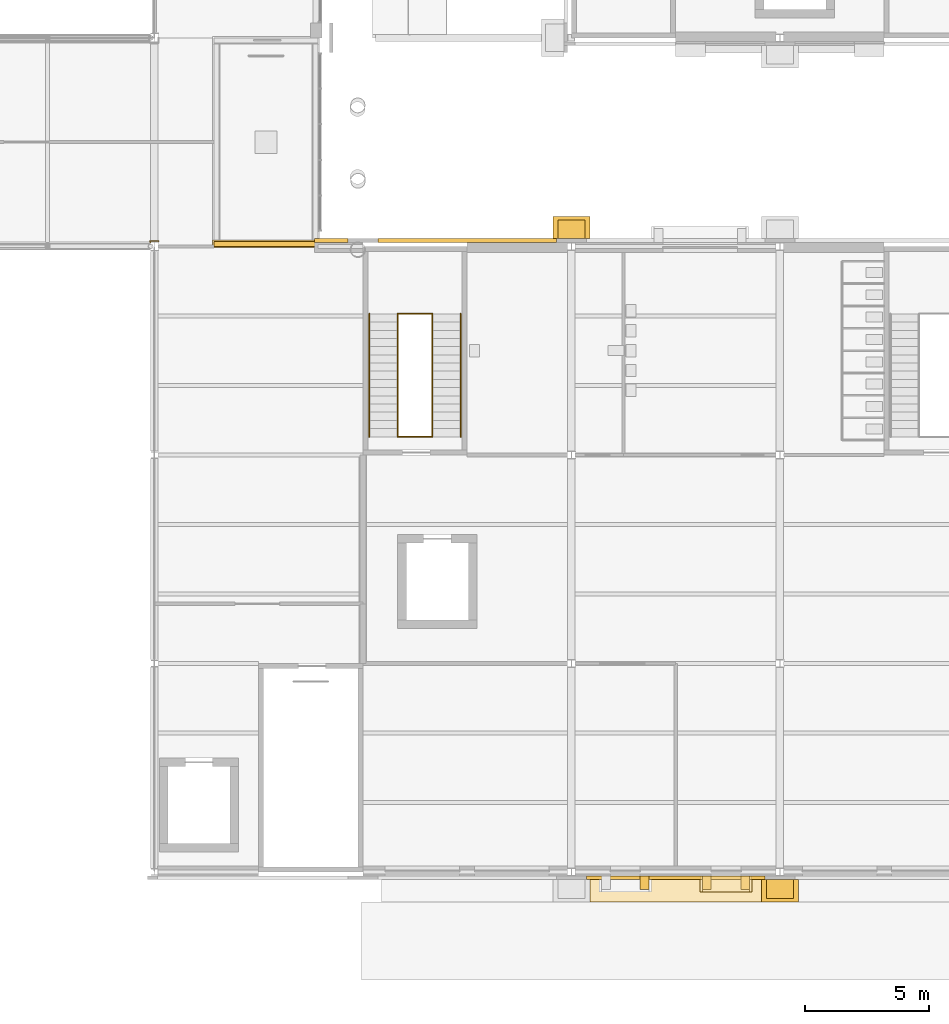
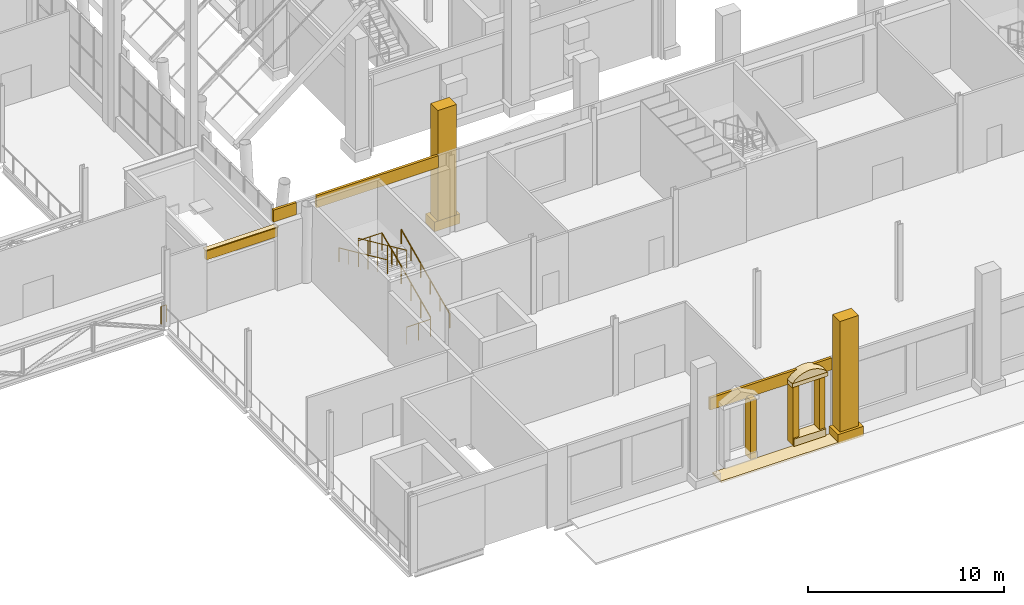
# One storey, part 63 of 76: 16 coverings, 7 railings.
"""IFC4 building model written with IfcOpenShell, lengths in metres."""

from ifc_helpers import new_model, si_unit, direction, frame, origin, origin_2d, place, context, subcontext, project, spatial, polyline, rectangle, circle, outline, extrude, material, layer, layer_set, type_object, element, save


model = new_model("IFC4")

# Units and contexts
model_context = context("Model", 3, precision=1e-05, world=origin(), true_north=direction((0.0, 1.0)))
body_context = subcontext(model_context, "Body", "Model", "MODEL_VIEW")
ifc_project = project(units=[si_unit("LENGTHUNIT", "METRE"), si_unit("AREAUNIT", "SQUARE_METRE"), si_unit("VOLUMEUNIT", "CUBIC_METRE"), si_unit("PLANEANGLEUNIT", "RADIAN"), si_unit("MASSUNIT", "GRAM", prefix="KILO")], contexts=[model_context])

# Site, building, storey
site_placement = place(None, origin())
site = spatial("IfcSite", under=ifc_project, at=site_placement, CompositionType="ELEMENT")
building_placement = place(site_placement, origin())
building = spatial("IfcBuilding", under=site, at=building_placement, Name="Sava Quay Ferry Terminal", CompositionType="ELEMENT")
storey_placement = place(building_placement, frame((0.0, 0.0, 6.0)))
storey = spatial("IfcBuildingStorey", under=building, at=storey_placement, Name="L01", CompositionType="ELEMENT", Elevation=6.0)

# Coverings
ifc_material_1 = material(Name="Standing-seam lead roofing")
ifc_layer_1 = layer(ifc_material_1, 0.1201171875)
ifc_layer_set_1 = layer_set([ifc_layer_1], Name="Standing-seam lead roofing")
covering_type_1 = type_object("IfcCoveringType", Name="Arcade roof covering 120", PredefinedType="ROOFING", material=ifc_layer_set_1)
covering_1_placement = place(storey_placement, frame((96.60009765625, 24.43994140625, 0.0), z_axis=(0.0, 0.0, 1.0), x_axis=(1.0, 0.0, 0.0)))
element("IfcCovering", 1, at=covering_1_placement, inside=storey, type_object=covering_type_1, Name="Arcade roof covering", PredefinedType="ROOFING", context=body_context, shape_type="SweptSolid", body=[
    extrude(rectangle(XDim=6.89990234375, YDim=0.89990234375, at=origin_2d()), origin(), (0.0, 0.0, 1.0), 0.1201171875),
])
ifc_material_2 = material(Name="Limestone Mutalj", Category="masonry")
ifc_layer_2 = layer(ifc_material_2, 0.89990234375)
ifc_layer_set_2 = layer_set([ifc_layer_2], Name="Limestone Mutalj")
covering_type_2 = type_object("IfcCoveringType", Name="Giant-order pilaster base 1500", PredefinedType="MOLDING", material=ifc_layer_set_2)
for number, where, z_axis, x_axis, name in (
    (2, (92.39990234375, 51.159912109375, 0.0), (0.0, 0.0, 1.0), (1.0, 0.0, 0.0), "Giant-order pilaster base"),
    (3, (100.800048828125, 24.43994140625, 0.0), (0.0, 0.0, 1.0), (1.0, 0.0, 0.0), "Giant-order pilaster base"),
):
    element("IfcCovering", number, at=place(storey_placement, frame(where, z_axis=z_axis, x_axis=x_axis)), inside=storey, type_object=covering_type_2, Name=name, PredefinedType="MOLDING", context=body_context, shape_type="SweptSolid", body=[
        extrude(rectangle(XDim=1.5, YDim=0.89990234375, at=origin_2d()), origin(), (0.0, 0.0, 1.0), 0.60009765625),
    ])
ifc_material_3 = material(Name="Limestone Mutalj", Category="masonry")
ifc_layer_3 = layer(ifc_material_3, 0.75)
ifc_layer_set_3 = layer_set([ifc_layer_3], Name="Limestone Mutalj")
covering_type_3 = type_object("IfcCoveringType", Name="Giant-order pilaster shaft 1100", PredefinedType="CLADDING", material=ifc_layer_set_3)
for number, where, z_axis, x_axis, name in (
    (4, (92.39990234375, 51.0849609375, 0.60009765625), (0.0, 0.0, 1.0), (1.0, 0.0, 0.0), "Giant-order pilaster"),
    (5, (100.800048828125, 24.514892578125, 0.60009765625), (0.0, 0.0, 1.0), (1.0, 0.0, 0.0), "Giant-order pilaster"),
):
    element("IfcCovering", number, at=place(storey_placement, frame(where, z_axis=z_axis, x_axis=x_axis)), inside=storey, type_object=covering_type_3, Name=name, PredefinedType="CLADDING", context=body_context, shape_type="SweptSolid", body=[
        extrude(rectangle(XDim=1.10009765625, YDim=0.75, at=origin_2d()), origin(), (0.0, 0.0, 1.0), 6.89990234375),
    ])

# Railings
ifc_material_4 = material(Name="Steel S355", Category="steel")
railing_type_1 = type_object("IfcRailingType", Name="Guard 1100", PredefinedType="GUARDRAIL", material=ifc_material_4)
railing_1_placement = place(storey_placement, frame((85.39990234375, 42.72998046875, 0.0)))
element("IfcRailing", 6, at=railing_1_placement, inside=storey, type_object=railing_type_1, Name="Guard at stair well ST-P1 L01", PredefinedType="GUARDRAIL", context=body_context, shape_type="SweptSolid", body=[
    extrude(circle(Radius=0.02392578125, at=origin_2d()), frame((0.0, 0.0, 1.076171875), z_axis=(1.0, 0.0, 0.0), x_axis=(0.0, 1.0, 0.0)), (0.0, 0.0, 1.0), 1.400146484375),
    extrude(circle(Radius=0.02099609375, at=origin_2d()), origin(), (0.0, 0.0, 1.0), 1.052001953125),
    extrude(circle(Radius=0.02099609375, at=origin_2d()), frame((0.7001953125, 0.0, 0.0)), (0.0, 0.0, 1.0), 1.052001953125),
    extrude(circle(Radius=0.02099609375, at=origin_2d()), frame((1.400146484375, 0.0, 0.0)), (0.0, 0.0, 1.0), 1.052001953125),
])
railing_2_placement = place(storey_placement, frame((86.800048828125, 42.72998046875, 0.14990234375)))
element("IfcRailing", 7, at=railing_2_placement, inside=storey, type_object=railing_type_1, Name="Guard at stair well ST-P1 L01", PredefinedType="GUARDRAIL", context=body_context, shape_type="SweptSolid", body=[
    extrude(circle(Radius=0.02392578125, at=origin_2d()), frame((0.0, 0.0, 1.076171875), z_axis=(0.0, 0.910364939756, 0.41380632724), x_axis=(-1.0, 0.0, 0.0)), (0.0, 0.0, 1.0), 5.437255859375),
    extrude(circle(Radius=0.02099609375, at=origin_2d()), origin(), (0.0, 0.0, 1.0), 1.052001953125),
    extrude(circle(Radius=0.02099609375, at=origin_2d()), frame((0.0, 0.989990234375, 0.449951171875)), (0.0, 0.0, 1.0), 1.052001953125),
    extrude(circle(Radius=0.02099609375, at=origin_2d()), frame((0.0, 1.97998046875, 0.89990234375)), (0.0, 0.0, 1.0), 1.052001953125),
    extrude(circle(Radius=0.02099609375, at=origin_2d()), frame((0.0, 2.969970703125, 1.35009765625)), (0.0, 0.0, 1.0), 1.052001953125),
    extrude(circle(Radius=0.02099609375, at=origin_2d()), frame((0.0, 3.9599609375, 1.800048828125)), (0.0, 0.0, 1.0), 1.052001953125),
    extrude(circle(Radius=0.02099609375, at=origin_2d()), frame((0.0, 4.949951171875, 2.25)), (0.0, 0.0, 1.0), 1.052001953125),
])
railing_3_placement = place(storey_placement, frame((85.39990234375, 47.679931640625, 2.550048828125)))
element("IfcRailing", 8, at=railing_3_placement, inside=storey, type_object=railing_type_1, Name="Guard at stair well ST-P1 L01", PredefinedType="GUARDRAIL", context=body_context, shape_type="SweptSolid", body=[
    extrude(circle(Radius=0.02392578125, at=origin_2d()), frame((0.0, 0.0, 1.076171875), z_axis=(0.0, -0.910364939756, 0.41380632724), x_axis=(1.0, 0.0, 0.0)), (0.0, 0.0, 1.0), 5.437255859375),
    extrude(circle(Radius=0.02099609375, at=origin_2d()), origin(), (0.0, 0.0, 1.0), 1.052001953125),
    extrude(circle(Radius=0.02099609375, at=origin_2d()), frame((0.0, -0.989990234375, 0.449951171875)), (0.0, 0.0, 1.0), 1.052001953125),
    extrude(circle(Radius=0.02099609375, at=origin_2d()), frame((0.0, -1.97998046875, 0.89990234375)), (0.0, 0.0, 1.0), 1.052001953125),
    extrude(circle(Radius=0.02099609375, at=origin_2d()), frame((0.0, -2.969970703125, 1.35009765625)), (0.0, 0.0, 1.0), 1.052001953125),
    extrude(circle(Radius=0.02099609375, at=origin_2d()), frame((0.0, -3.9599609375, 1.800048828125)), (0.0, 0.0, 1.0), 1.052001953125),
    extrude(circle(Radius=0.02099609375, at=origin_2d()), frame((0.0, -4.949951171875, 2.25)), (0.0, 0.0, 1.0), 1.052001953125),
])
railing_4_placement = place(storey_placement, frame((85.39990234375, 47.679931640625, 2.39990234375)))
element("IfcRailing", 9, at=railing_4_placement, inside=storey, type_object=railing_type_1, Name="Guard at half landing ST-P1 L01", PredefinedType="GUARDRAIL", context=body_context, shape_type="SweptSolid", body=[
    extrude(circle(Radius=0.02392578125, at=origin_2d()), frame((0.0, 0.0, 1.076171875), z_axis=(1.0, 0.0, 0.0), x_axis=(0.0, 1.0, 0.0)), (0.0, 0.0, 1.0), 1.400146484375),
    extrude(circle(Radius=0.02099609375, at=origin_2d()), origin(), (0.0, 0.0, 1.0), 1.052001953125),
    extrude(circle(Radius=0.02099609375, at=origin_2d()), frame((0.7001953125, 0.0, 0.0)), (0.0, 0.0, 1.0), 1.052001953125),
    extrude(circle(Radius=0.02099609375, at=origin_2d()), frame((1.400146484375, 0.0, 0.0)), (0.0, 0.0, 1.0), 1.052001953125),
])
railing_5_placement = place(storey_placement, frame((75.760009765625, 50.610107421875, 0.0)))
element("IfcRailing", 10, at=railing_5_placement, inside=storey, type_object=railing_type_1, Name="Mezzanine guard", PredefinedType="GUARDRAIL", context=body_context, shape_type="SweptSolid", body=[
    extrude(circle(Radius=0.02392578125, at=origin_2d()), frame((0.0, 0.0, 1.076171875), z_axis=(-1.0, 0.0, 0.0), x_axis=(0.0, -1.0, 0.0)), (0.0, 0.0, 1.0), 0.320068359375),
    extrude(circle(Radius=0.02392578125, at=origin_2d()), frame((-0.320068359375, 0.0, 1.076171875), z_axis=(0.0, -1.0, 0.0), x_axis=(1.0, 0.0, 0.0)), (0.0, 0.0, 1.0), 0.0400390625),
    extrude(circle(Radius=0.02099609375, at=origin_2d()), origin(), (0.0, 0.0, 1.0), 1.052001953125),
    extrude(circle(Radius=0.02099609375, at=origin_2d()), frame((-0.320068359375, 0.0, 0.0)), (0.0, 0.0, 1.0), 1.052001953125),
    extrude(circle(Radius=0.02099609375, at=origin_2d()), frame((-0.320068359375, -0.0400390625, 0.0)), (0.0, 0.0, 1.0), 1.052001953125),
])

# Coverings
ifc_material_5 = material(Name="Limestone Mutalj", Category="masonry")
ifc_layer_4 = layer(ifc_material_5, 0.14990234375)
ifc_layer_set_4 = layer_set([ifc_layer_4], Name="Limestone Mutalj")
covering_type_4 = type_object("IfcCoveringType", Name="Limestone string course 150", PredefinedType="CLADDING", material=ifc_layer_set_4)
covering_2_placement = place(storey_placement, frame((0.0, 0.0, 4.050048828125)))
element("IfcCovering", 11, at=covering_2_placement, inside=storey, type_object=covering_type_4, Name="String course P-N", PredefinedType="CLADDING", context=body_context, shape_type="SweptSolid", body=[
    extrude(outline(polyline([(82.050048828125, 50.56005859375), (83.39990234375, 50.56005859375), (83.39990234375, 50.7099609375), (82.050048828125, 50.7099609375), (82.050048828125, 50.56005859375)])), origin(), (0.0, 0.0, 1.0), 0.75),
])
covering_3_placement = place(storey_placement, frame((0.0, 0.0, 4.050048828125)))
element("IfcCovering", 12, at=covering_3_placement, inside=storey, type_object=covering_type_4, Name="String course P-N", PredefinedType="CLADDING", context=body_context, shape_type="SweptSolid", body=[
    extrude(outline(polyline([(84.60009765625, 50.56005859375), (91.800048828125, 50.56005859375), (91.800048828125, 50.7099609375), (84.60009765625, 50.7099609375), (84.60009765625, 50.56005859375)])), origin(), (0.0, 0.0, 1.0), 0.75),
])
covering_4_placement = place(storey_placement, frame((0.0, 0.0, 4.050048828125)))
element("IfcCovering", 13, at=covering_4_placement, inside=storey, type_object=covering_type_4, Name="String course P-S", PredefinedType="CLADDING", context=body_context, shape_type="SweptSolid", body=[
    extrude(outline(polyline([(93.0, 25.0400390625), (100.199951171875, 25.0400390625), (100.199951171875, 24.889892578125), (93.0, 24.889892578125), (93.0, 25.0400390625)])), origin(), (0.0, 0.0, 1.0), 0.75),
])
ifc_material_6 = material(Name="Limestone Mutalj", Category="masonry")
ifc_layer_5 = layer(ifc_material_6, 0.050048828125)
ifc_layer_set_5 = layer_set([ifc_layer_5], Name="Limestone Mutalj")
covering_type_5 = type_object("IfcCoveringType", Name="Overrun coping 300", PredefinedType="MOLDING", material=ifc_layer_set_5)
covering_5_placement = place(storey_placement, frame((80.10009765625, 50.5, 3.7998046875), z_axis=(0.0, 0.0, 1.0), x_axis=(1.0, 0.0, 0.0)))
element("IfcCovering", 14, at=covering_5_placement, inside=storey, type_object=covering_type_5, Name="Overrun coping ST-D2 S", PredefinedType="MOLDING", context=body_context, shape_type="SweptSolid", body=[
    extrude(rectangle(XDim=4.300048828125, YDim=0.300048828125, at=origin_2d()), origin(), (0.0, 0.0, 1.0), 0.050048828125),
])
ifc_material_7 = material(Name="Limestone Mutalj", Category="masonry")
ifc_layer_6 = layer(ifc_material_7, 0.199951171875)
ifc_layer_set_6 = layer_set([ifc_layer_6], Name="Limestone Mutalj")
covering_type_6 = type_object("IfcCoveringType", Name="Overrun parapet 200", PredefinedType="MOLDING", material=ifc_layer_set_6)
covering_6_placement = place(storey_placement, frame((80.10009765625, 50.5, 3.199951171875), z_axis=(0.0, 0.0, 1.0), x_axis=(1.0, 0.0, 0.0)))
element("IfcCovering", 15, at=covering_6_placement, inside=storey, type_object=covering_type_6, Name="Overrun parapet ST-D2 S", PredefinedType="MOLDING", context=body_context, shape_type="SweptSolid", body=[
    extrude(rectangle(XDim=4.199951171875, YDim=0.199951171875, at=origin_2d()), origin(), (0.0, 0.0, 1.0), 0.60009765625),
])
ifc_material_8 = material(Name="Limestone Mutalj", Category="masonry")
ifc_layer_7 = layer(ifc_material_8, 0.64990234375)
ifc_layer_set_7 = layer_set([ifc_layer_7], Name="Limestone Mutalj")
covering_type_7 = type_object("IfcCoveringType", Name="Segmental window head 500", PredefinedType="MOLDING", material=ifc_layer_set_7)
covering_7_placement = place(storey_placement, frame((97.581298828125, 25.0400390625, 4.39990234375), z_axis=(0.0, 1.0, 0.0), x_axis=(0.71122974715, 0.0, 0.702959633811)))
element("IfcCovering", 16, at=covering_7_placement, inside=storey, type_object=covering_type_7, Name="Segmental window head", PredefinedType="MOLDING", context=body_context, shape_type="SweptSolid", body=[
    extrude(outline(polyline([(0.0, 0.0), (0.29520831818581716, 0.0), (0.5408181661149173, 0.05018198167150195), (0.752447055183014, 0.1347446981906073), (0.9373030675727445, 0.24639526640782444), (1.0981321393536847, 0.382355445123347), (1.2361376366269134, 0.5417550148915962), (1.3499425532163642, 0.7252925741538023), (1.4369745931274485, 0.93591798511412), (1.4900256741775295, 1.1809241309220415), (1.4934782849708934, 1.4761122584014645), (0.0, 0.0)])), origin(), (0.0, 0.0, -1.0), 0.64990234375),
])

# Railings
ifc_material_9 = material(Name="Steel S355", Category="steel")
railing_type_2 = type_object("IfcRailingType", Name="Stair handrail 900", PredefinedType="HANDRAIL", material=ifc_material_9)
railing_6_placement = place(storey_placement, frame((87.93994140625, 42.72998046875, 0.14990234375)))
element("IfcRailing", 17, at=railing_6_placement, inside=storey, type_object=railing_type_2, Name="Handrail ST-P1 L01", PredefinedType="HANDRAIL", context=body_context, shape_type="SweptSolid", body=[
    extrude(circle(Radius=0.02392578125, at=origin_2d()), frame((0.0, 0.0, 0.8759765625), z_axis=(0.0, 0.910364939756, 0.41380632724), x_axis=(-1.0, 0.0, 0.0)), (0.0, 0.0, 1.0), 5.437255859375),
    extrude(circle(Radius=0.02099609375, at=origin_2d()), origin(), (0.0, 0.0, 1.0), 0.851806640625),
    extrude(circle(Radius=0.02099609375, at=origin_2d()), frame((0.0, 0.989990234375, 0.449951171875)), (0.0, 0.0, 1.0), 0.851806640625),
    extrude(circle(Radius=0.02099609375, at=origin_2d()), frame((0.0, 1.97998046875, 0.89990234375)), (0.0, 0.0, 1.0), 0.851806640625),
    extrude(circle(Radius=0.02099609375, at=origin_2d()), frame((0.0, 2.969970703125, 1.35009765625)), (0.0, 0.0, 1.0), 0.851806640625),
    extrude(circle(Radius=0.02099609375, at=origin_2d()), frame((0.0, 3.9599609375, 1.800048828125)), (0.0, 0.0, 1.0), 0.851806640625),
    extrude(circle(Radius=0.02099609375, at=origin_2d()), frame((0.0, 4.949951171875, 2.25)), (0.0, 0.0, 1.0), 0.851806640625),
])
railing_7_placement = place(storey_placement, frame((84.260009765625, 47.679931640625, 2.550048828125)))
element("IfcRailing", 18, at=railing_7_placement, inside=storey, type_object=railing_type_2, Name="Handrail ST-P1 L01", PredefinedType="HANDRAIL", context=body_context, shape_type="SweptSolid", body=[
    extrude(circle(Radius=0.02392578125, at=origin_2d()), frame((0.0, 0.0, 0.8759765625), z_axis=(0.0, -0.910364939756, 0.41380632724), x_axis=(1.0, 0.0, 0.0)), (0.0, 0.0, 1.0), 5.437255859375),
    extrude(circle(Radius=0.02099609375, at=origin_2d()), origin(), (0.0, 0.0, 1.0), 0.851806640625),
    extrude(circle(Radius=0.02099609375, at=origin_2d()), frame((0.0, -0.989990234375, 0.449951171875)), (0.0, 0.0, 1.0), 0.851806640625),
    extrude(circle(Radius=0.02099609375, at=origin_2d()), frame((0.0, -1.97998046875, 0.89990234375)), (0.0, 0.0, 1.0), 0.851806640625),
    extrude(circle(Radius=0.02099609375, at=origin_2d()), frame((0.0, -2.969970703125, 1.35009765625)), (0.0, 0.0, 1.0), 0.851806640625),
    extrude(circle(Radius=0.02099609375, at=origin_2d()), frame((0.0, -3.9599609375, 1.800048828125)), (0.0, 0.0, 1.0), 0.851806640625),
    extrude(circle(Radius=0.02099609375, at=origin_2d()), frame((0.0, -4.949951171875, 2.25)), (0.0, 0.0, 1.0), 0.851806640625),
])

# Coverings
ifc_material_10 = material(Name="Limestone Mutalj", Category="masonry")
ifc_layer_8 = layer(ifc_material_10, 0.550048828125)
ifc_layer_set_8 = layer_set([ifc_layer_8], Name="Limestone Mutalj")
covering_type_8 = type_object("IfcCoveringType", Name="Window surround jamb 350", PredefinedType="MOLDING", material=ifc_layer_set_8)
for number, where, z_axis, x_axis, name in (
    (19, (95.34375, 24.764892578125, 0.4501953125), (0.0, 0.0, 1.0), (1.0, 0.0, 0.0), "Window surround jamb"),
    (20, (97.856201171875, 24.764892578125, 0.4501953125), (0.0, 0.0, 1.0), (1.0, 0.0, 0.0), "Window surround jamb"),
    (21, (99.40625, 24.764892578125, 0.4501953125), (0.0, 0.0, 1.0), (1.0, 0.0, 0.0), "Window surround jamb"),
):
    element("IfcCovering", number, at=place(storey_placement, frame(where, z_axis=z_axis, x_axis=x_axis)), inside=storey, type_object=covering_type_8, Name=name, PredefinedType="MOLDING", context=body_context, shape_type="SweptSolid", body=[
        extrude(rectangle(XDim=0.35009765625, YDim=0.550048828125, at=origin_2d()), origin(), (0.0, 0.0, 1.0), 3.699951171875),
    ])
ifc_material_11 = material(Name="Limestone Mutalj", Category="masonry")
ifc_layer_9 = layer(ifc_material_11, 0.64990234375)
ifc_layer_set_9 = layer_set([ifc_layer_9], Name="Limestone Mutalj")
covering_type_9 = type_object("IfcCoveringType", Name="Window surround lintel 300", PredefinedType="MOLDING", material=ifc_layer_set_9)
covering_8_placement = place(storey_placement, frame((98.631103515625, 24.715087890625, 4.14990234375), z_axis=(0.0, 0.0, 1.0), x_axis=(1.0, 0.0, 0.0)))
element("IfcCovering", 22, at=covering_8_placement, inside=storey, type_object=covering_type_9, Name="Window surround lintel", PredefinedType="MOLDING", context=body_context, shape_type="SweptSolid", body=[
    extrude(rectangle(XDim=2.10009765625, YDim=0.64990234375, at=origin_2d()), origin(), (0.0, 0.0, 1.0), 0.25),
])
ifc_material_12 = material(Name="Limestone Mutalj", Category="masonry")
ifc_layer_10 = layer(ifc_material_12, 0.64990234375)
ifc_layer_set_10 = layer_set([ifc_layer_10], Name="Limestone Mutalj")
covering_type_10 = type_object("IfcCoveringType", Name="Window surround sill 450", PredefinedType="MOLDING", material=ifc_layer_set_10)
covering_9_placement = place(storey_placement, frame((98.631103515625, 24.715087890625, 0.4501953125), z_axis=(0.0, 0.0, 1.0), x_axis=(1.0, 0.0, 0.0)))
element("IfcCovering", 23, at=covering_9_placement, inside=storey, type_object=covering_type_10, Name="Window surround sill", PredefinedType="MOLDING", context=body_context, shape_type="SweptSolid", body=[
    extrude(rectangle(XDim=1.89990234375, YDim=0.64990234375, at=origin_2d()), origin(), (0.0, 0.0, 1.0), 0.449951171875),
])

save(model, "model.ifc")
